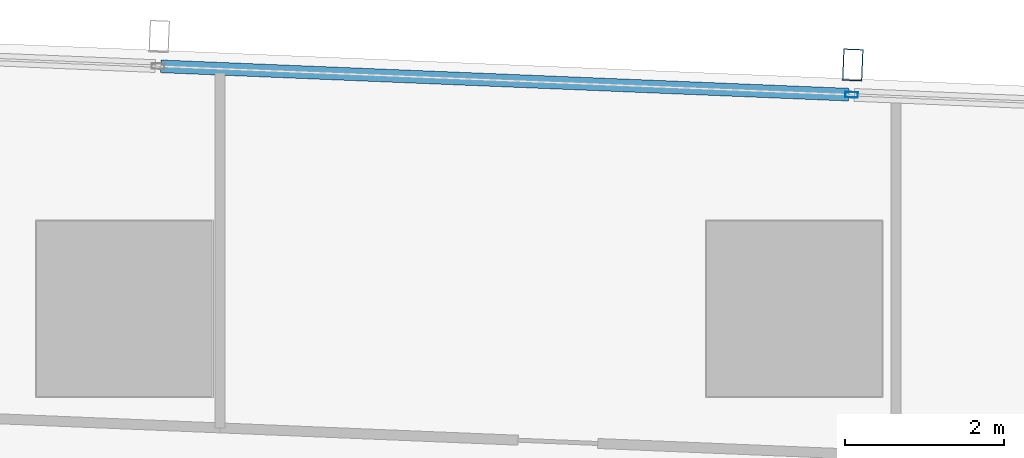
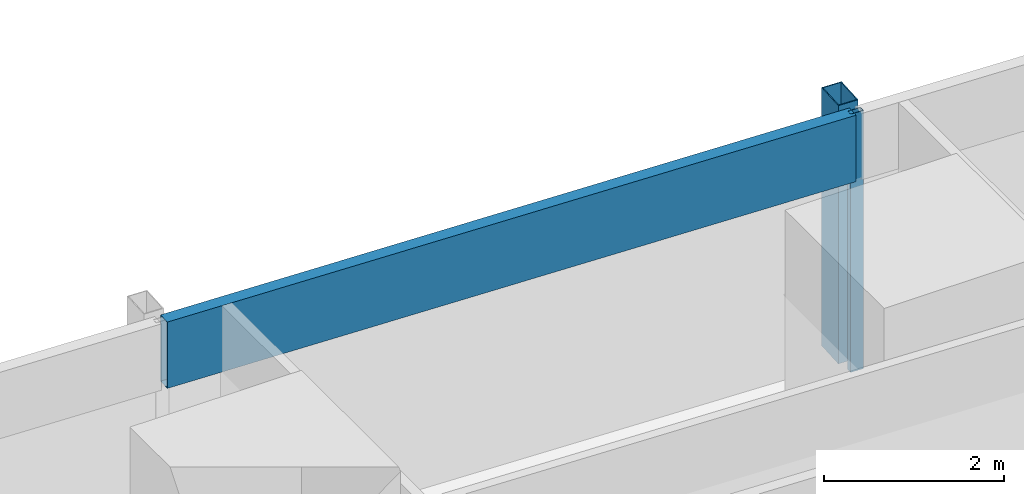
# One storey, part 21 of 45: 3 members, 1 element without a shape of its own.
"""IFC4 building model written with IfcOpenShell, lengths in metres."""

from ifc_helpers import new_model, si_unit, direction, frame, origin, origin_2d, place, context, subcontext, project, spatial, hollow_rectangle, extrude, material, material_profile, profile_set, type_object, element, aggregate, save


model = new_model("IFC4")

# Units and contexts
model_context = context("Model", 3, precision=1e-05, world=origin(), true_north=direction((0.0, 1.0)))
body_context = subcontext(model_context, "Body", "Model", "MODEL_VIEW")
ifc_project = project(units=[si_unit("LENGTHUNIT", "METRE"), si_unit("AREAUNIT", "SQUARE_METRE"), si_unit("VOLUMEUNIT", "CUBIC_METRE"), si_unit("PLANEANGLEUNIT", "RADIAN"), si_unit("MASSUNIT", "GRAM", prefix="KILO")], contexts=[model_context])

# Site, building, storey
site_placement = place(None, origin())
site = spatial("IfcSite", under=ifc_project, at=site_placement, CompositionType="ELEMENT")
building_placement = place(site_placement, origin())
building = spatial("IfcBuilding", under=site, at=building_placement, Name="Rekha Terrace Tower", CompositionType="ELEMENT")
storey_placement = place(building_placement, frame((0.0, 0.0, 36.64990234375)))
storey = spatial("IfcBuildingStorey", under=building, at=storey_placement, Name="L08", CompositionType="ELEMENT", Elevation=36.64990234375)

# Curtain wall, members
ifc_material_1 = material(Name="Aluminium framing", Category="aluminium")
curtain_wall_type = type_object("IfcCurtainWallType", Name="CW3 north unitised glazing", PredefinedType="USERDEFINED", material=ifc_material_1)
curtain_wall_placement = place(storey_placement, origin())
curtain_wall = element("IfcCurtainWall", 1, at=curtain_wall_placement, inside=storey, type_object=curtain_wall_type, Name="CW3 unitised curtain wall", ObjectType="UNITISED CURTAIN WALL", PredefinedType="USERDEFINED")
ifc_material_2 = material(Name="Steel S355 with fluorocarbon finish", Category="steel")
ifc_material_profile_1 = material_profile(ifc_material_2, hollow_rectangle(XDim=0.25, YDim=0.39990234375, WallThickness=0.012451171875, at=origin_2d()), Name="RHS400x250x12.5")
ifc_profile_set_1 = profile_set([ifc_material_profile_1], Name="Steel S355 with fluorocarbon finish")
member_type_1 = type_object("IfcMemberType", Name="BL1 facade blade RHS 400 x 250", PredefinedType="USERDEFINED", material=ifc_profile_set_1)
member_1_placement = place(storey_placement, frame((42.73388671875, 61.857421875, 0.0), z_axis=(0.0, 0.0, 1.0), x_axis=(-0.99915196507, 0.041174636562, 0.0)))
member_1 = element("IfcMember", 2, at=member_1_placement, type_object=member_type_1, Name="Facade blade", ObjectType="FACADE BLADE", PredefinedType="USERDEFINED", context=body_context, shape_type="SweptSolid", body=[
    extrude(hollow_rectangle(XDim=0.25, YDim=0.39990234375, WallThickness=0.012451171875, at=origin_2d()), origin(), (0.0, 0.0, 1.0), 3.5),
])
ifc_material_3 = material(Name="Aluminium mullion section", Category="aluminium")
ifc_material_profile_2 = material_profile(ifc_material_3, hollow_rectangle(XDim=0.070068359375, YDim=0.159912109375, WallThickness=0.00390625, at=origin_2d()), Name="AL RHS 70x160")
ifc_profile_set_2 = profile_set([ifc_material_profile_2], Name="Aluminium mullion section")
member_type_2 = type_object("IfcMemberType", Name="CW3 mullion RHS 70 x 160", PredefinedType="MULLION", material=ifc_profile_set_2)
member_2_placement = place(storey_placement, frame((42.718505859375, 61.48291015625, 0.0), z_axis=(0.0, 0.0, 1.0), x_axis=(-0.041173846041, -0.999151997647, 0.0)))
member_2 = element("IfcMember", 3, at=member_2_placement, type_object=member_type_2, Name="CW3 mullion 4", PredefinedType="MULLION", context=body_context, shape_type="SweptSolid", body=[
    extrude(hollow_rectangle(XDim=0.070068359375, YDim=0.159912109375, WallThickness=0.00390625, at=origin_2d()), origin(), (0.0, 0.0, 1.0), 3.5),
])
ifc_material_4 = material(Name="Insulated aluminium spandrel box", Category="aluminium")
ifc_material_profile_3 = material_profile(ifc_material_4, hollow_rectangle(XDim=0.159912109375, YDim=0.89990234375, WallThickness=0.0029296875, at=origin_2d()), Name="AL SPANDREL BOX 160x900")
ifc_profile_set_3 = profile_set([ifc_material_profile_3], Name="Insulated aluminium spandrel box")
member_type_3 = type_object("IfcMemberType", Name="CW3 spandrel transom 160 x 900", PredefinedType="USERDEFINED", material=ifc_profile_set_3)
member_3_placement = place(storey_placement, frame((42.68359375, 61.484375, 3.050048828125), z_axis=(-0.999152128669, 0.041170666459, 0.0), x_axis=(-0.041170666459, -0.999152128669, 0.0)))
member_3 = element("IfcMember", 4, at=member_3_placement, type_object=member_type_3, Name="CW3 spandrel transom 4", ObjectType="TRANSOM", PredefinedType="USERDEFINED", context=body_context, shape_type="SweptSolid", body=[
    extrude(hollow_rectangle(XDim=0.159912109375, YDim=0.89990234375, WallThickness=0.0029296875, at=origin_2d()), origin(), (0.0, 0.0, 1.0), 8.634033203125),
])
aggregate(curtain_wall, [member_2, member_3, member_1])

save(model, "model.ifc")
